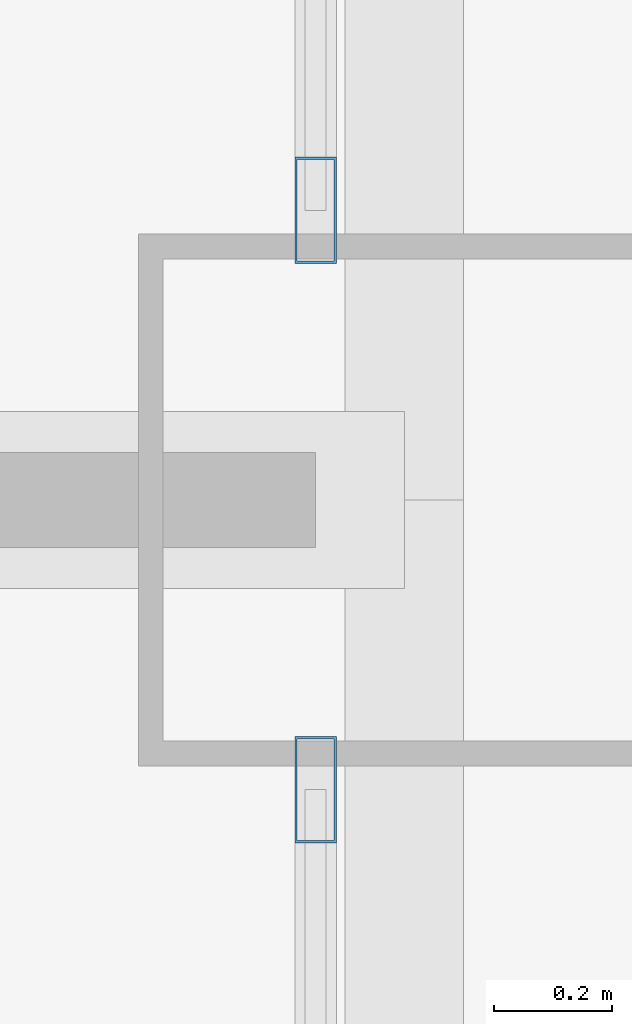
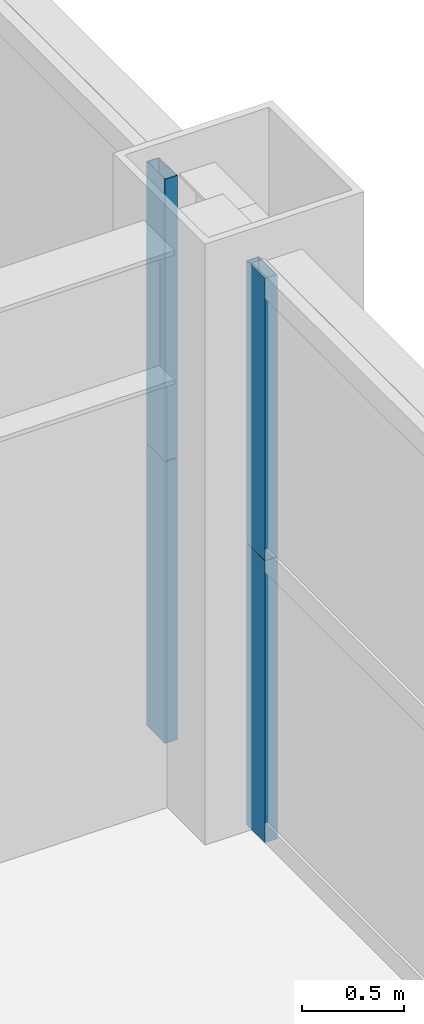
# One storey, part 22 of 45: 4 members, 2 elements without a shape of their own.
"""IFC4 building model written with IfcOpenShell, lengths in metres."""

from ifc_helpers import new_model, si_unit, direction, frame, origin, origin_2d, place, context, subcontext, project, spatial, hollow_rectangle, extrude, source, transform, mapped, material, layer, layer_set, material_profile, profile_set, type_object, element, aggregate, save


model = new_model("IFC4")

# Units and contexts
model_context = context("Model", 3, precision=1e-05, world=origin(), true_north=direction((0.0, 1.0)))
body_context = subcontext(model_context, "Body", "Model", "MODEL_VIEW")
ifc_project = project(units=[si_unit("LENGTHUNIT", "METRE"), si_unit("AREAUNIT", "SQUARE_METRE"), si_unit("VOLUMEUNIT", "CUBIC_METRE"), si_unit("PLANEANGLEUNIT", "RADIAN"), si_unit("MASSUNIT", "GRAM", prefix="KILO"), si_unit("THERMODYNAMICTEMPERATUREUNIT", "KELVIN"), si_unit("POWERUNIT", "WATT")], contexts=[model_context])

# Site, building, storey
site_placement = place(None, origin())
site = spatial("IfcSite", under=ifc_project, at=site_placement, CompositionType="ELEMENT")
building_placement = place(site_placement, origin())
building = spatial("IfcBuilding", under=site, at=building_placement, Name="Yuzanri Waterfront Tower", CompositionType="ELEMENT")
storey_placement = place(building_placement, frame((0.0, 0.0, 49.60009765625)))
storey = spatial("IfcBuildingStorey", under=building, at=storey_placement, Name="L12", CompositionType="ELEMENT", Elevation=49.60009765625)

# Curtain wall, members
ifc_material_1 = material(Name="Anodized Architectural Bronze", Category="metal")
ifc_layer = layer(ifc_material_1, 0.159912109375)
ifc_layer_set = layer_set([ifc_layer], Name="Anodized Architectural Bronze")
curtain_wall_type = type_object("IfcCurtainWallType", Name="Anodized Bronze Hotel Lower-Tier Recessed Unitized Curtain Wall 8100", PredefinedType="NOTDEFINED", material=ifc_layer_set)
curtain_wall_1_placement = place(storey_placement, origin())
curtain_wall_1 = element("IfcCurtainWall", 1, at=curtain_wall_1_placement, inside=storey, type_object=curtain_wall_type, Name="L12 Curtain Wall CW-L12-EL", PredefinedType="NOTDEFINED")
ifc_material_2 = material(Name="Anodized Architectural Bronze", Category="metal")
ifc_material_profile = material_profile(ifc_material_2, hollow_rectangle(XDim=0.070068359375, YDim=0.179931640625, WallThickness=0.00390625, at=origin_2d()), Name="CWM 70x180")
ifc_profile_set = profile_set([ifc_material_profile], Name="Anodized Architectural Bronze")
member_type = type_object("IfcMemberType", Name="Anodized Bronze Standard Curtain-Wall Mullion 70x180", PredefinedType="MULLION", material=ifc_profile_set)
shared_shape = source(origin(), body_context, "Body", "SweptSolid", [
    extrude(hollow_rectangle(XDim=0.070068359375, YDim=0.179931640625, WallThickness=0.00390625, at=origin_2d()), origin(), (0.0, 0.0, 1.0), 1.68798828125),
])
member_1_placement = place(storey_placement, frame((61.949951171875, 25.31005859375, 0.0), z_axis=(0.0, 0.0, 1.0), x_axis=(1.0, 0.0, 0.0)))
member_1 = element("IfcMember", 2, at=member_1_placement, type_object=member_type, Name="CW-L12-EL Lower Mullion 02", PredefinedType="MULLION", context=body_context, shape_type="MappedRepresentation", body=[
    mapped(shared_shape, transform((0.0, 0.0, 0.0), scale=1.0)),
])
member_2_placement = place(storey_placement, frame((61.949951171875, 25.31005859375, 1.69189453125), z_axis=(0.0, 0.0, 1.0), x_axis=(1.0, 0.0, 0.0)))
member_2 = element("IfcMember", 3, at=member_2_placement, type_object=member_type, Name="CW-L12-EL Upper Mullion 02", PredefinedType="MULLION", context=body_context, shape_type="MappedRepresentation", body=[
    mapped(shared_shape, transform((0.0, 0.0, 0.0), scale=1.0)),
])
aggregate(curtain_wall_1, [member_1, member_2])

curtain_wall_2_placement = place(storey_placement, origin())
curtain_wall_2 = element("IfcCurtainWall", 4, at=curtain_wall_2_placement, inside=storey, type_object=curtain_wall_type, Name="L12 Curtain Wall CW-L12-ER", PredefinedType="NOTDEFINED")
member_3_placement = place(storey_placement, frame((61.949951171875, 26.2900390625, 0.0), z_axis=(0.0, 0.0, 1.0), x_axis=(1.0, 0.0, 0.0)))
member_3 = element("IfcMember", 5, at=member_3_placement, type_object=member_type, Name="CW-L12-ER Lower Mullion 00", PredefinedType="MULLION", context=body_context, shape_type="MappedRepresentation", body=[
    mapped(shared_shape, transform((0.0, 0.0, 0.0), scale=1.0)),
])
member_4_placement = place(storey_placement, frame((61.949951171875, 26.2900390625, 1.69189453125), z_axis=(0.0, 0.0, 1.0), x_axis=(1.0, 0.0, 0.0)))
member_4 = element("IfcMember", 6, at=member_4_placement, type_object=member_type, Name="CW-L12-ER Upper Mullion 00", PredefinedType="MULLION", context=body_context, shape_type="MappedRepresentation", body=[
    mapped(shared_shape, transform((0.0, 0.0, 0.0), scale=1.0)),
])
aggregate(curtain_wall_2, [member_3, member_4])

save(model, "model.ifc")
